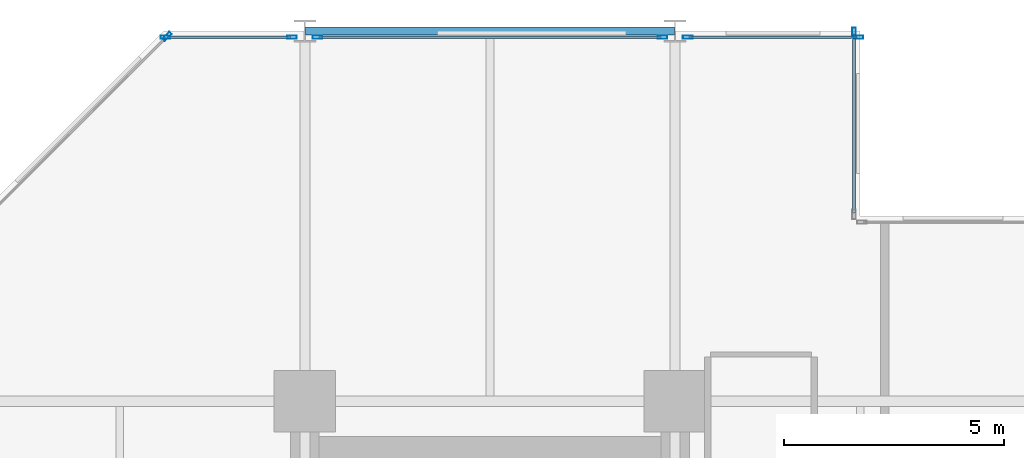
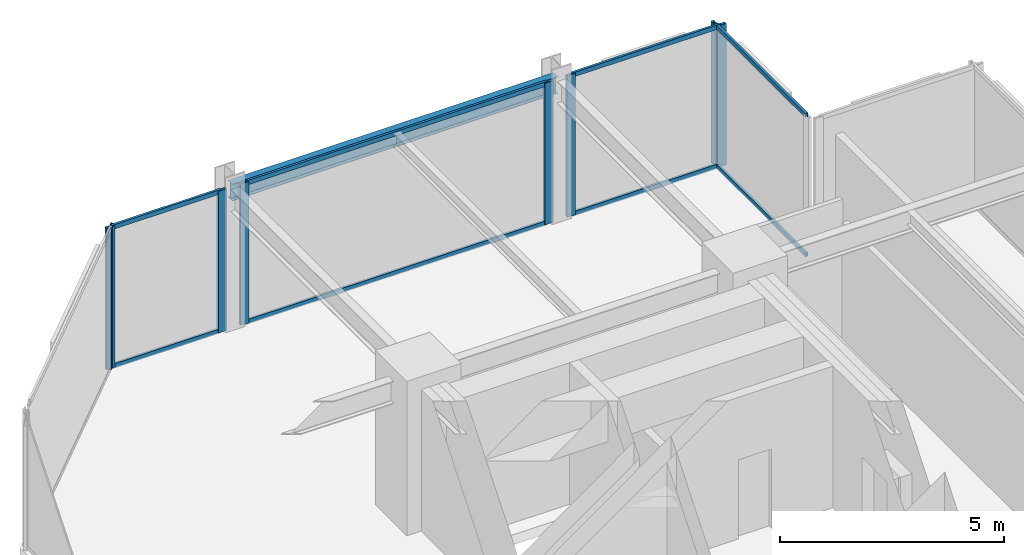
# One storey, part 19 of 26: 16 members, 1 beam, 5 elements without a shape of their own.
"""IFC4 building model written with IfcOpenShell, lengths in metres."""

from ifc_helpers import new_model, si_unit, direction, frame, origin, origin_2d, place, context, subcontext, project, spatial, hollow_rectangle, i_section, extrude, material, layer, layer_set, material_profile, profile_set, type_object, element, aggregate, save


model = new_model("IFC4")

# Units and contexts
model_context = context("Model", 3, precision=1e-05, world=origin(), true_north=direction((0.0, 1.0)))
body_context = subcontext(model_context, "Body", "Model", "MODEL_VIEW")
ifc_project = project(units=[si_unit("LENGTHUNIT", "METRE"), si_unit("AREAUNIT", "SQUARE_METRE"), si_unit("VOLUMEUNIT", "CUBIC_METRE"), si_unit("PLANEANGLEUNIT", "RADIAN"), si_unit("MASSUNIT", "GRAM", prefix="KILO")], contexts=[model_context])

# Site, building, storey
site_placement = place(None, origin())
site = spatial("IfcSite", under=ifc_project, at=site_placement, CompositionType="ELEMENT")
building_placement = place(site_placement, origin())
building = spatial("IfcBuilding", under=site, at=building_placement, Name="Nerrivon Quay Data Exchange", CompositionType="ELEMENT")
storey_placement = place(building_placement, frame((0.0, 0.0, 75.199951171875)))
storey = spatial("IfcBuildingStorey", under=building, at=storey_placement, Name="L17", CompositionType="ELEMENT", Elevation=75.199951171875)

# Beam
ifc_material_1 = material(Name="Steel Grade 350", Category="steel")
ifc_material_profile_1 = material_profile(ifc_material_1, i_section(OverallWidth=0.18994140625, OverallDepth=0.4541015625, WebThickness=0.008544921875, FlangeThickness=0.0126953125, FilletRadius=0.011474609375, at=origin_2d()), Name="460UB67.1")
ifc_profile_set_1 = profile_set([ifc_material_profile_1], Name="Steel Grade 350")
beam_type = type_object("IfcBeamType", Name="BM-SP1-460UB67", PredefinedType="SPANDREL", material=ifc_profile_set_1)
beam_placement = place(storey_placement, frame((8.4140625, 50.39990234375, 3.623046875), z_axis=(1.0, 0.0, 0.0), x_axis=(0.0, 1.0, 0.0)))
element("IfcBeam", 1, at=beam_placement, inside=storey, type_object=beam_type, Name="L17 EW Girder Y=50.4 (8.4..16.8)", PredefinedType="SPANDREL", context=body_context, shape_type="SweptSolid", body=[
    extrude(i_section(OverallWidth=0.18994140625, OverallDepth=0.4541015625, WebThickness=0.008544921875, FlangeThickness=0.0126953125, FilletRadius=0.011474609375, at=origin_2d()), origin(), (0.0, 0.0, 1.0), 8.371826171875),
])

# Curtain wall, member
ifc_material_2 = material(Name="Anodised aluminium 6063-T6", Category="aluminium")
ifc_layer = layer(ifc_material_2, 0.219970703125)
ifc_layer_set = layer_set([ifc_layer], Name="Anodised aluminium 6063-T6")
curtain_wall_type = type_object("IfcCurtainWallType", Name="CW-SYS-01", PredefinedType="NOTDEFINED", material=ifc_layer_set)
curtain_wall_1_placement = place(storey_placement, origin())
curtain_wall_1 = element("IfcCurtainWall", 2, at=curtain_wall_1_placement, inside=storey, type_object=curtain_wall_type, Name="L17 Unitised Curtain Wall 23", PredefinedType="NOTDEFINED")
ifc_material_profile_2 = material_profile(ifc_material_2, hollow_rectangle(XDim=0.074951171875, YDim=0.219970703125, WallThickness=0.00390625, at=origin_2d()), Name="ALU-MULL-220x75")
ifc_profile_set_2 = profile_set([ifc_material_profile_2], Name="Anodised aluminium 6063-T6")
member_type_1 = type_object("IfcMemberType", Name="CWM-220x75", PredefinedType="MULLION", material=ifc_profile_set_2)
member_1_placement = place(storey_placement, frame((5.2724609375, 50.2744140625, 0.0), z_axis=(0.0, 0.0, 1.0), x_axis=(-0.707106781187, 0.707106781187, 0.0)))
member_1 = element("IfcMember", 3, at=member_1_placement, type_object=member_type_1, Name="CW01 mullion 2", PredefinedType="MULLION", context=body_context, shape_type="SweptSolid", body=[
    extrude(hollow_rectangle(XDim=0.074951171875, YDim=0.219970703125, WallThickness=0.00390625, at=origin_2d()), origin(), (0.0, 0.0, 1.0), 3.85009765625),
])
aggregate(curtain_wall_1, [member_1])

# Curtain wall, members
curtain_wall_2_placement = place(storey_placement, origin())
curtain_wall_2 = element("IfcCurtainWall", 4, at=curtain_wall_2_placement, inside=storey, type_object=curtain_wall_type, Name="L17 Unitised Curtain Wall 24", PredefinedType="NOTDEFINED")
member_2_placement = place(storey_placement, frame((5.237548828125, 50.260009765625, 0.0), z_axis=(0.0, 0.0, 1.0), x_axis=(0.0, 1.0, 0.0)))
member_2 = element("IfcMember", 5, at=member_2_placement, type_object=member_type_1, Name="CW01 mullion 1", PredefinedType="MULLION", context=body_context, shape_type="SweptSolid", body=[
    extrude(hollow_rectangle(XDim=0.074951171875, YDim=0.219970703125, WallThickness=0.00390625, at=origin_2d()), origin(), (0.0, 0.0, 1.0), 3.85009765625),
])
member_3_placement = place(storey_placement, frame((8.112548828125, 50.260009765625, 0.0), z_axis=(0.0, 0.0, 1.0), x_axis=(0.0, 1.0, 0.0)))
member_3 = element("IfcMember", 6, at=member_3_placement, type_object=member_type_1, Name="CW01 mullion 2", PredefinedType="MULLION", context=body_context, shape_type="SweptSolid", body=[
    extrude(hollow_rectangle(XDim=0.074951171875, YDim=0.219970703125, WallThickness=0.00390625, at=origin_2d()), origin(), (0.0, 0.0, 1.0), 3.85009765625),
])

curtain_wall_3_placement = place(storey_placement, origin())
curtain_wall_3 = element("IfcCurtainWall", 7, at=curtain_wall_3_placement, inside=storey, type_object=curtain_wall_type, Name="L17 Unitised Curtain Wall 25", PredefinedType="NOTDEFINED")
member_4_placement = place(storey_placement, frame((8.6875, 50.260009765625, 0.0), z_axis=(0.0, 0.0, 1.0), x_axis=(0.0, 1.0, 0.0)))
member_4 = element("IfcMember", 8, at=member_4_placement, type_object=member_type_1, Name="CW01 mullion 1", PredefinedType="MULLION", context=body_context, shape_type="SweptSolid", body=[
    extrude(hollow_rectangle(XDim=0.074951171875, YDim=0.219970703125, WallThickness=0.00390625, at=origin_2d()), origin(), (0.0, 0.0, 1.0), 3.85009765625),
])
member_5_placement = place(storey_placement, frame((16.512451171875, 50.260009765625, 0.0), z_axis=(0.0, 0.0, 1.0), x_axis=(0.0, 1.0, 0.0)))
member_5 = element("IfcMember", 9, at=member_5_placement, type_object=member_type_1, Name="CW01 mullion 2", PredefinedType="MULLION", context=body_context, shape_type="SweptSolid", body=[
    extrude(hollow_rectangle(XDim=0.074951171875, YDim=0.219970703125, WallThickness=0.00390625, at=origin_2d()), origin(), (0.0, 0.0, 1.0), 3.85009765625),
])

curtain_wall_4_placement = place(storey_placement, origin())
curtain_wall_4 = element("IfcCurtainWall", 10, at=curtain_wall_4_placement, inside=storey, type_object=curtain_wall_type, Name="L17 Unitised Curtain Wall 26", PredefinedType="NOTDEFINED")
member_6_placement = place(storey_placement, frame((17.08740234375, 50.260009765625, 0.0), z_axis=(0.0, 0.0, 1.0), x_axis=(0.0, 1.0, 0.0)))
member_6 = element("IfcMember", 11, at=member_6_placement, type_object=member_type_1, Name="CW01 mullion 1", PredefinedType="MULLION", context=body_context, shape_type="SweptSolid", body=[
    extrude(hollow_rectangle(XDim=0.074951171875, YDim=0.219970703125, WallThickness=0.00390625, at=origin_2d()), origin(), (0.0, 0.0, 1.0), 3.85009765625),
])
member_7_placement = place(storey_placement, frame((20.96240234375, 50.260009765625, 0.0), z_axis=(0.0, 0.0, 1.0), x_axis=(0.0, 1.0, 0.0)))
member_7 = element("IfcMember", 12, at=member_7_placement, type_object=member_type_1, Name="CW01 mullion 2", PredefinedType="MULLION", context=body_context, shape_type="SweptSolid", body=[
    extrude(hollow_rectangle(XDim=0.074951171875, YDim=0.219970703125, WallThickness=0.00390625, at=origin_2d()), origin(), (0.0, 0.0, 1.0), 3.85009765625),
])

# Curtain wall, member
curtain_wall_5_placement = place(storey_placement, origin())
curtain_wall_5 = element("IfcCurtainWall", 13, at=curtain_wall_5_placement, inside=storey, type_object=curtain_wall_type, Name="L17 Unitised Curtain Wall 27", PredefinedType="NOTDEFINED")
member_8_placement = place(storey_placement, frame((20.860107421875, 50.362548828125, 0.0), z_axis=(0.0, 0.0, 1.0), x_axis=(1.0, 0.0, 0.0)))
member_8 = element("IfcMember", 14, at=member_8_placement, type_object=member_type_1, Name="CW01 mullion 1", PredefinedType="MULLION", context=body_context, shape_type="SweptSolid", body=[
    extrude(hollow_rectangle(XDim=0.074951171875, YDim=0.219970703125, WallThickness=0.00390625, at=origin_2d()), origin(), (0.0, 0.0, 1.0), 3.85009765625),
])

# Member
ifc_material_profile_3 = material_profile(ifc_material_2, hollow_rectangle(XDim=0.06005859375, YDim=0.1201171875, WallThickness=0.003173828125, at=origin_2d()), Name="ALU-TRAN-120x60")
ifc_profile_set_3 = profile_set([ifc_material_profile_3], Name="Anodised aluminium 6063-T6")
member_type_2 = type_object("IfcMemberType", Name="CWT-120x60", PredefinedType="USERDEFINED", material=ifc_profile_set_3)
member_9_placement = place(storey_placement, frame((5.27490234375, 50.260009765625, 0.032470703125), z_axis=(1.0, 0.0, 0.0), x_axis=(0.0, 1.0, 0.0)))
member_9 = element("IfcMember", 15, at=member_9_placement, type_object=member_type_2, Name="CW01 transom 1.1", ObjectType="TRANSOM", PredefinedType="USERDEFINED", context=body_context, shape_type="SweptSolid", body=[
    extrude(hollow_rectangle(XDim=0.06005859375, YDim=0.1201171875, WallThickness=0.003173828125, at=origin_2d()), origin(), (0.0, 0.0, 1.0), 2.800048828125),
])

member_10_placement = place(storey_placement, frame((5.27490234375, 50.260009765625, 3.817626953125), z_axis=(1.0, 0.0, 0.0), x_axis=(0.0, 1.0, 0.0)))
member_10 = element("IfcMember", 16, at=member_10_placement, type_object=member_type_2, Name="CW01 transom 1.2", ObjectType="TRANSOM", PredefinedType="USERDEFINED", context=body_context, shape_type="SweptSolid", body=[
    extrude(hollow_rectangle(XDim=0.06005859375, YDim=0.1201171875, WallThickness=0.003173828125, at=origin_2d()), origin(), (0.0, 0.0, 1.0), 2.800048828125),
])

aggregate(curtain_wall_2, [member_2, member_3, member_9, member_10])

member_11_placement = place(storey_placement, frame((8.72509765625, 50.260009765625, 0.032470703125), z_axis=(1.0, 0.0, 0.0), x_axis=(0.0, 1.0, 0.0)))
member_11 = element("IfcMember", 17, at=member_11_placement, type_object=member_type_2, Name="CW01 transom 1.1", ObjectType="TRANSOM", PredefinedType="USERDEFINED", context=body_context, shape_type="SweptSolid", body=[
    extrude(hollow_rectangle(XDim=0.06005859375, YDim=0.1201171875, WallThickness=0.003173828125, at=origin_2d()), origin(), (0.0, 0.0, 1.0), 7.75),
])

member_12_placement = place(storey_placement, frame((8.72509765625, 50.260009765625, 3.817626953125), z_axis=(1.0, 0.0, 0.0), x_axis=(0.0, 1.0, 0.0)))
member_12 = element("IfcMember", 18, at=member_12_placement, type_object=member_type_2, Name="CW01 transom 1.2", ObjectType="TRANSOM", PredefinedType="USERDEFINED", context=body_context, shape_type="SweptSolid", body=[
    extrude(hollow_rectangle(XDim=0.06005859375, YDim=0.1201171875, WallThickness=0.003173828125, at=origin_2d()), origin(), (0.0, 0.0, 1.0), 7.75),
])

aggregate(curtain_wall_3, [member_4, member_5, member_11, member_12])

member_13_placement = place(storey_placement, frame((17.125, 50.260009765625, 0.032470703125), z_axis=(1.0, 0.0, 0.0), x_axis=(0.0, 1.0, 0.0)))
member_13 = element("IfcMember", 19, at=member_13_placement, type_object=member_type_2, Name="CW01 transom 1.1", ObjectType="TRANSOM", PredefinedType="USERDEFINED", context=body_context, shape_type="SweptSolid", body=[
    extrude(hollow_rectangle(XDim=0.06005859375, YDim=0.1201171875, WallThickness=0.003173828125, at=origin_2d()), origin(), (0.0, 0.0, 1.0), 3.800048828125),
])

member_14_placement = place(storey_placement, frame((17.125, 50.260009765625, 3.817626953125), z_axis=(1.0, 0.0, 0.0), x_axis=(0.0, 1.0, 0.0)))
member_14 = element("IfcMember", 20, at=member_14_placement, type_object=member_type_2, Name="CW01 transom 1.2", ObjectType="TRANSOM", PredefinedType="USERDEFINED", context=body_context, shape_type="SweptSolid", body=[
    extrude(hollow_rectangle(XDim=0.06005859375, YDim=0.1201171875, WallThickness=0.003173828125, at=origin_2d()), origin(), (0.0, 0.0, 1.0), 3.800048828125),
])

aggregate(curtain_wall_4, [member_6, member_7, member_13, member_14])

member_15_placement = place(storey_placement, frame((20.860107421875, 50.324951171875, 0.032470703125), z_axis=(0.0, -1.0, 0.0), x_axis=(1.0, 0.0, 0.0)))
member_15 = element("IfcMember", 21, at=member_15_placement, type_object=member_type_2, Name="CW01 transom 1.1", ObjectType="TRANSOM", PredefinedType="USERDEFINED", context=body_context, shape_type="SweptSolid", body=[
    extrude(hollow_rectangle(XDim=0.06005859375, YDim=0.1201171875, WallThickness=0.003173828125, at=origin_2d()), origin(), (0.0, 0.0, 1.0), 4.050048828125),
])

member_16_placement = place(storey_placement, frame((20.860107421875, 50.324951171875, 3.817626953125), z_axis=(0.0, -1.0, 0.0), x_axis=(1.0, 0.0, 0.0)))
member_16 = element("IfcMember", 22, at=member_16_placement, type_object=member_type_2, Name="CW01 transom 1.2", ObjectType="TRANSOM", PredefinedType="USERDEFINED", context=body_context, shape_type="SweptSolid", body=[
    extrude(hollow_rectangle(XDim=0.06005859375, YDim=0.1201171875, WallThickness=0.003173828125, at=origin_2d()), origin(), (0.0, 0.0, 1.0), 4.050048828125),
])

aggregate(curtain_wall_5, [member_8, member_15, member_16])

save(model, "model.ifc")
